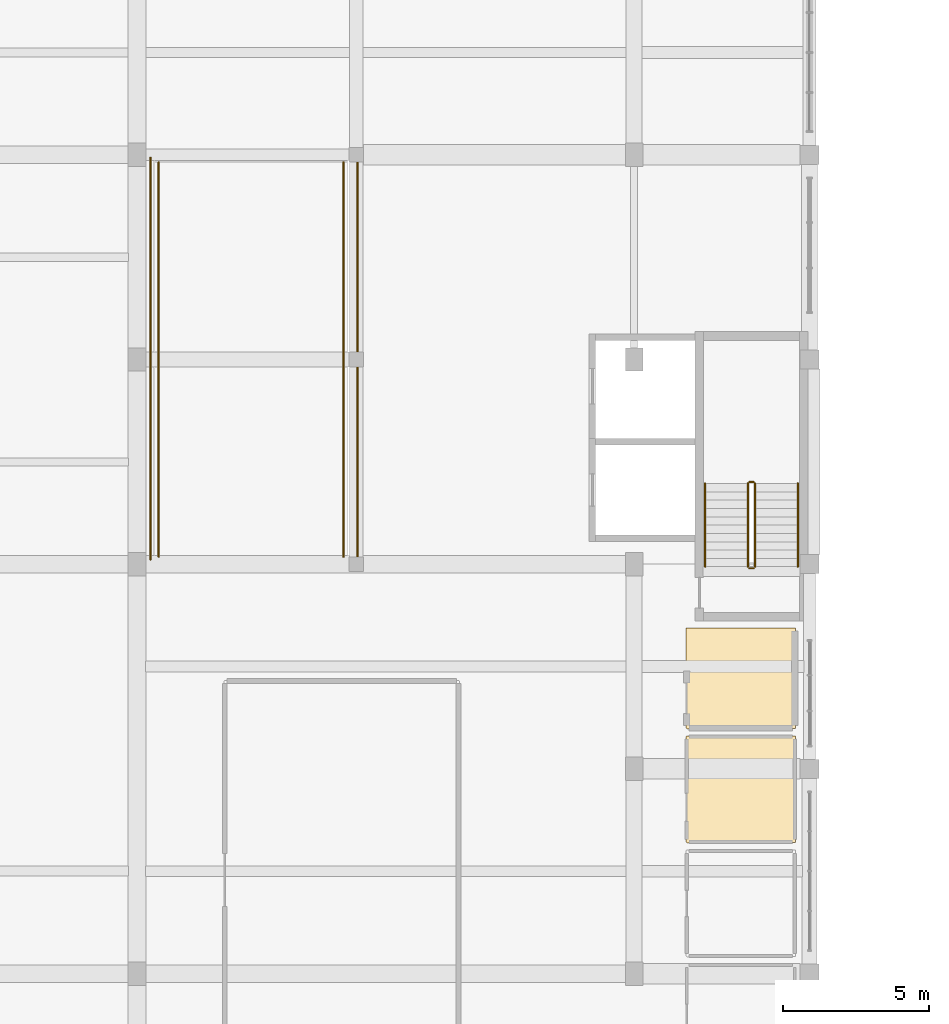
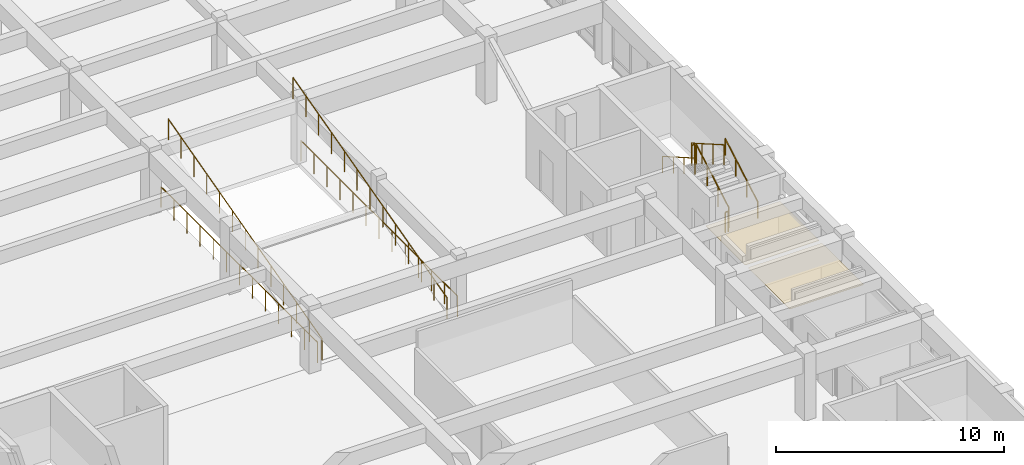
# One storey, part 76 of 77: 10 railings, 2 coverings.
"""IFC4 building model written with IfcOpenShell, lengths in metres."""

from ifc_helpers import new_model, si_unit, direction, frame, origin, origin_2d, place, context, subcontext, project, spatial, polyline, circle, outline, extrude, material, layer, layer_set, type_object, element, save


model = new_model("IFC4")

# Units and contexts
model_context = context("Model", 3, precision=1e-05, world=origin(), true_north=direction((0.0, 1.0)))
body_context = subcontext(model_context, "Body", "Model", "MODEL_VIEW")
ifc_project = project(units=[si_unit("LENGTHUNIT", "METRE"), si_unit("AREAUNIT", "SQUARE_METRE"), si_unit("VOLUMEUNIT", "CUBIC_METRE"), si_unit("PLANEANGLEUNIT", "RADIAN"), si_unit("MASSUNIT", "GRAM", prefix="KILO")], contexts=[model_context])

# Site, building, storey
site_placement = place(None, origin())
site = spatial("IfcSite", under=ifc_project, at=site_placement, CompositionType="ELEMENT")
building_placement = place(site_placement, origin())
building = spatial("IfcBuilding", under=site, at=building_placement, Name="Larkveld Mobility Hub", CompositionType="ELEMENT")
storey_placement = place(building_placement, frame((0.0, 0.0, 12.0)))
storey = spatial("IfcBuildingStorey", under=building, at=storey_placement, Name="L03", CompositionType="ELEMENT", Elevation=12.0)

# Coverings
ifc_material_1 = material(Name="Perforated mineral-fibre acoustic ceiling", Category="masonry")
ifc_layer_1 = layer(ifc_material_1, 0.02001953125, Name="Perforated mineral-fibre acoustic ceiling", Category="masonry")
ifc_layer_set_1 = layer_set([ifc_layer_1], Name="Perforated mineral-fibre acoustic ceiling")
covering_type_1 = type_object("IfcCoveringType", Name="CV-CLG-020", PredefinedType="CEILING", material=ifc_layer_set_1)
covering_1_placement = place(storey_placement, frame((0.0, 0.0, 2.330078125)))
element("IfcCovering", 1, at=covering_1_placement, inside=storey, type_object=covering_type_1, Name="Accessible Unisex Toilet Acoustic Ceiling 036", PredefinedType="CEILING", context=body_context, shape_type="SweptSolid", body=[
    extrude(outline(polyline([(147.820068359375, 46.469970703125), (147.81689453125, 46.469970703125), (147.81396484375, 46.470947265625), (147.81103515625, 46.470947265625), (147.80908203125, 46.471923828125), (147.805908203125, 46.47412109375), (147.802978515625, 46.47509765625), (147.801025390625, 46.47705078125), (147.799072265625, 46.47900390625), (147.779052734375, 46.4990234375), (147.777099609375, 46.5009765625), (147.77490234375, 46.5029296875), (147.77392578125, 46.506103515625), (147.77197265625, 46.509033203125), (147.77099609375, 46.510986328125), (147.77099609375, 46.513916015625), (147.77001953125, 46.51708984375), (147.77001953125, 46.52001953125), (147.77587890625, 50.093994140625), (147.77587890625, 50.096923828125), (147.77587890625, 50.10009765625), (147.777099609375, 50.10302734375), (147.778076171875, 50.10595703125), (147.779052734375, 50.10791015625), (147.781005859375, 50.111083984375), (147.782958984375, 50.113037109375), (147.784912109375, 50.114990234375), (147.787109375, 50.116943359375), (147.7890625, 50.118896484375), (147.7919921875, 50.12109375), (147.7939453125, 50.1220703125), (147.797119140625, 50.123046875), (147.800048828125, 50.1240234375), (147.802978515625, 50.1240234375), (147.805908203125, 50.1240234375), (151.493896484375, 50.1240234375), (151.4970703125, 50.1240234375), (151.5, 50.1240234375), (151.5029296875, 50.123046875), (151.506103515625, 50.1220703125), (151.508056640625, 50.12109375), (151.510986328125, 50.118896484375), (151.512939453125, 50.116943359375), (151.514892578125, 50.114990234375), (151.51708984375, 50.113037109375), (151.51904296875, 50.111083984375), (151.52099609375, 50.10791015625), (151.52197265625, 50.10595703125), (151.52294921875, 50.10302734375), (151.52392578125, 50.10009765625), (151.52392578125, 50.096923828125), (151.52392578125, 50.093994140625), (151.52392578125, 46.506103515625), (151.52392578125, 46.5029296875), (151.52392578125, 46.5), (151.52294921875, 46.4970703125), (151.52197265625, 46.493896484375), (151.52099609375, 46.491943359375), (151.51904296875, 46.489013671875), (151.51708984375, 46.487060546875), (151.514892578125, 46.485107421875), (151.512939453125, 46.48291015625), (151.510986328125, 46.48095703125), (151.508056640625, 46.47900390625), (151.506103515625, 46.47802734375), (151.5029296875, 46.47705078125), (151.5, 46.47607421875), (151.4970703125, 46.47607421875), (151.493896484375, 46.47607421875), (147.820068359375, 46.469970703125)])), origin(), (0.0, 0.0, 1.0), 0.02001953125),
])
ifc_material_2 = material(Name="Moisture-resistant gypsum board ceiling", Category="masonry")
ifc_layer_2 = layer(ifc_material_2, 0.02490234375, Name="Moisture-resistant gypsum board ceiling", Category="masonry")
ifc_layer_set_2 = layer_set([ifc_layer_2], Name="Moisture-resistant gypsum board ceiling")
covering_type_2 = type_object("IfcCoveringType", Name="CV-CLG-025", PredefinedType="CEILING", material=ifc_layer_set_2)
covering_2_placement = place(storey_placement, frame((0.0, 0.0, 2.324951171875)))
element("IfcCovering", 2, at=covering_2_placement, inside=storey, type_object=covering_type_2, Name="Cleaners Store Room Acoustic Ceiling 037", PredefinedType="CEILING", context=body_context, shape_type="SweptSolid", body=[
    extrude(outline(polyline([(147.820068359375, 50.3701171875), (147.81689453125, 50.3701171875), (147.81396484375, 50.37109375), (147.81103515625, 50.37109375), (147.80908203125, 50.3720703125), (147.805908203125, 50.3740234375), (147.802978515625, 50.375), (147.801025390625, 50.376953125), (147.799072265625, 50.37890625), (147.779052734375, 50.39892578125), (147.777099609375, 50.40087890625), (147.77490234375, 50.403076171875), (147.77392578125, 50.406005859375), (147.77197265625, 50.408935546875), (147.77099609375, 50.410888671875), (147.77099609375, 50.4140625), (147.77001953125, 50.4169921875), (147.77001953125, 50.419921875), (147.77587890625, 53.7939453125), (147.77587890625, 53.797119140625), (147.77587890625, 53.800048828125), (147.777099609375, 53.802978515625), (147.778076171875, 53.805908203125), (147.779052734375, 53.80810546875), (147.781005859375, 53.81103515625), (147.782958984375, 53.81298828125), (147.784912109375, 53.81494140625), (147.787109375, 53.81689453125), (147.7890625, 53.819091796875), (147.7919921875, 53.821044921875), (147.7939453125, 53.822021484375), (147.797119140625, 53.822998046875), (147.800048828125, 53.823974609375), (147.802978515625, 53.823974609375), (147.805908203125, 53.823974609375), (151.493896484375, 53.823974609375), (151.4970703125, 53.823974609375), (151.5, 53.823974609375), (151.5029296875, 53.822998046875), (151.506103515625, 53.822021484375), (151.508056640625, 53.821044921875), (151.510986328125, 53.819091796875), (151.512939453125, 53.81689453125), (151.514892578125, 53.81494140625), (151.51708984375, 53.81298828125), (151.51904296875, 53.81103515625), (151.52099609375, 53.80810546875), (151.52197265625, 53.805908203125), (151.52294921875, 53.802978515625), (151.52392578125, 53.800048828125), (151.52392578125, 53.797119140625), (151.52392578125, 53.7939453125), (151.52392578125, 50.406005859375), (151.52392578125, 50.403076171875), (151.52392578125, 50.39990234375), (151.52294921875, 50.39697265625), (151.52197265625, 50.39404296875), (151.52099609375, 50.39208984375), (151.51904296875, 50.388916015625), (151.51708984375, 50.386962890625), (151.514892578125, 50.385009765625), (151.512939453125, 50.383056640625), (151.510986328125, 50.381103515625), (151.508056640625, 50.37890625), (151.506103515625, 50.3779296875), (151.5029296875, 50.376953125), (151.5, 50.3759765625), (151.4970703125, 50.3759765625), (151.493896484375, 50.3759765625), (147.820068359375, 50.3701171875)])), origin(), (0.0, 0.0, 1.0), 0.025146484375),
])

# Railings
ifc_material_3 = material(Name="Galvanized Steel S355JR balustrade", Category="steel")
railing_type_1 = type_object("IfcRailingType", Name="RL-GRD-1100", PredefinedType="GUARDRAIL", material=ifc_material_3)
railing_1_placement = place(storey_placement, frame((150.139892578125, 55.909912109375, 0.16357421875)))
element("IfcRailing", 3, at=railing_1_placement, inside=storey, type_object=railing_type_1, Name="L03 ST2 stair guard 1", PredefinedType="GUARDRAIL", context=body_context, shape_type="SweptSolid", body=[
    extrude(circle(Radius=0.02392578125, at=origin_2d()), frame((0.0, 0.0, 1.076171875), z_axis=(0.0, 0.86721270334, 0.497937874806), x_axis=(-1.0, 0.0, 0.0)), (0.0, 0.0, 1.0), 3.28662109375),
    extrude(circle(Radius=0.02099609375, at=origin_2d()), origin(), (0.0, 0.0, 1.0), 1.052001953125),
    extrude(circle(Radius=0.02099609375, at=origin_2d()), frame((0.0, 0.949951171875, 0.54541015625)), (0.0, 0.0, 1.0), 1.052001953125),
    extrude(circle(Radius=0.02099609375, at=origin_2d()), frame((0.0, 1.900146484375, 1.091064453125)), (0.0, 0.0, 1.0), 1.052001953125),
    extrude(circle(Radius=0.02099609375, at=origin_2d()), frame((0.0, 2.85009765625, 1.636474609375)), (0.0, 0.0, 1.0), 1.052001953125),
])
railing_2_placement = place(storey_placement, frame((150.090087890625, 58.81005859375, 1.800048828125)))
element("IfcRailing", 4, at=railing_2_placement, inside=storey, type_object=railing_type_1, Name="L03 ST2 stair guard 2", PredefinedType="GUARDRAIL", context=body_context, shape_type="SweptSolid", body=[
    extrude(circle(Radius=0.02392578125, at=origin_2d()), frame((0.0, 0.0, 1.076171875), z_axis=(-1.0, 0.0, 0.0), x_axis=(0.0, -1.0, 0.0)), (0.0, 0.0, 1.0), 0.150146484375),
    extrude(circle(Radius=0.02099609375, at=origin_2d()), origin(), (0.0, 0.0, 1.0), 1.052001953125),
    extrude(circle(Radius=0.02099609375, at=origin_2d()), frame((-0.150146484375, 0.0, 0.0)), (0.0, 0.0, 1.0), 1.052001953125),
])
railing_3_placement = place(storey_placement, frame((149.889892578125, 58.760009765625, 1.963623046875)))
element("IfcRailing", 5, at=railing_3_placement, inside=storey, type_object=railing_type_1, Name="L03 ST2 stair guard 3", PredefinedType="GUARDRAIL", context=body_context, shape_type="SweptSolid", body=[
    extrude(circle(Radius=0.02392578125, at=origin_2d()), frame((0.0, 0.0, 1.076171875), z_axis=(0.0, -0.86721270334, 0.497937874806), x_axis=(1.0, 0.0, 0.0)), (0.0, 0.0, 1.0), 3.28662109375),
    extrude(circle(Radius=0.02099609375, at=origin_2d()), origin(), (0.0, 0.0, 1.0), 1.052001953125),
    extrude(circle(Radius=0.02099609375, at=origin_2d()), frame((0.0, -0.949951171875, 0.54541015625)), (0.0, 0.0, 1.0), 1.052001953125),
    extrude(circle(Radius=0.02099609375, at=origin_2d()), frame((0.0, -1.900146484375, 1.091064453125)), (0.0, 0.0, 1.0), 1.052001953125),
    extrude(circle(Radius=0.02099609375, at=origin_2d()), frame((0.0, -2.85009765625, 1.636474609375)), (0.0, 0.0, 1.0), 1.052001953125),
])
railing_4_placement = place(storey_placement, frame((150.090087890625, 55.860107421875, 0.0)))
element("IfcRailing", 6, at=railing_4_placement, inside=storey, type_object=railing_type_1, Name="L03 ST2 stair guard 4", PredefinedType="GUARDRAIL", context=body_context, shape_type="SweptSolid", body=[
    extrude(circle(Radius=0.02392578125, at=origin_2d()), frame((0.0, 0.0, 1.076171875), z_axis=(-1.0, 0.0, 0.0), x_axis=(0.0, -1.0, 0.0)), (0.0, 0.0, 1.0), 0.150146484375),
    extrude(circle(Radius=0.02099609375, at=origin_2d()), origin(), (0.0, 0.0, 1.0), 1.052001953125),
    extrude(circle(Radius=0.02099609375, at=origin_2d()), frame((-0.150146484375, 0.0, 0.0)), (0.0, 0.0, 1.0), 1.052001953125),
])
ifc_material_4 = material(Name="Galvanized Steel S355JR void balustrade", Category="steel")
railing_type_2 = type_object("IfcRailingType", Name="RL-GRD-1120", PredefinedType="GUARDRAIL", material=ifc_material_4)
railing_5_placement = place(storey_placement, frame((129.4599609375, 56.159912109375, 0.0)))
element("IfcRailing", 7, at=railing_5_placement, inside=storey, type_object=railing_type_2, Name="EV Ramp Void West Guard L03 L03-062", PredefinedType="GUARDRAIL", context=body_context, shape_type="SweptSolid", body=[
    extrude(circle(Radius=0.02392578125, at=origin_2d()), frame((0.0, 0.0, 1.09619140625), z_axis=(0.0, 1.0, 0.0), x_axis=(-1.0, 0.0, 0.0)), (0.0, 0.0, 1.0), 13.739990234375),
    extrude(circle(Radius=0.02099609375, at=origin_2d()), origin(), (0.0, 0.0, 1.0), 1.072021484375),
    extrude(circle(Radius=0.02099609375, at=origin_2d()), frame((0.0, 1.14501953125, 0.0)), (0.0, 0.0, 1.0), 1.072021484375),
    extrude(circle(Radius=0.02099609375, at=origin_2d()), frame((0.0, 2.2900390625, 0.0)), (0.0, 0.0, 1.0), 1.072021484375),
    extrude(circle(Radius=0.02099609375, at=origin_2d()), frame((0.0, 3.43505859375, 0.0)), (0.0, 0.0, 1.0), 1.072021484375),
    extrude(circle(Radius=0.02099609375, at=origin_2d()), frame((0.0, 4.580078125, 0.0)), (0.0, 0.0, 1.0), 1.072021484375),
    extrude(circle(Radius=0.02099609375, at=origin_2d()), frame((0.0, 5.72509765625, 0.0)), (0.0, 0.0, 1.0), 1.072021484375),
    extrude(circle(Radius=0.02099609375, at=origin_2d()), frame((0.0, 6.8701171875, 0.0)), (0.0, 0.0, 1.0), 1.072021484375),
    extrude(circle(Radius=0.02099609375, at=origin_2d()), frame((0.0, 8.014892578125, 0.0)), (0.0, 0.0, 1.0), 1.072021484375),
    extrude(circle(Radius=0.02099609375, at=origin_2d()), frame((0.0, 9.159912109375, 0.0)), (0.0, 0.0, 1.0), 1.072021484375),
    extrude(circle(Radius=0.02099609375, at=origin_2d()), frame((0.0, 10.304931640625, 0.0)), (0.0, 0.0, 1.0), 1.072021484375),
    extrude(circle(Radius=0.02099609375, at=origin_2d()), frame((0.0, 11.449951171875, 0.0)), (0.0, 0.0, 1.0), 1.072021484375),
    extrude(circle(Radius=0.02099609375, at=origin_2d()), frame((0.0, 12.594970703125, 0.0)), (0.0, 0.0, 1.0), 1.072021484375),
    extrude(circle(Radius=0.02099609375, at=origin_2d()), frame((0.0, 13.739990234375, 0.0)), (0.0, 0.0, 1.0), 1.072021484375),
])
railing_6_placement = place(storey_placement, frame((136.5400390625, 56.159912109375, 0.0)))
element("IfcRailing", 8, at=railing_6_placement, inside=storey, type_object=railing_type_2, Name="EV Ramp Void East Guard L03 L03-063", PredefinedType="GUARDRAIL", context=body_context, shape_type="SweptSolid", body=[
    extrude(circle(Radius=0.02392578125, at=origin_2d()), frame((0.0, 0.0, 1.09619140625), z_axis=(0.0, 1.0, 0.0), x_axis=(-1.0, 0.0, 0.0)), (0.0, 0.0, 1.0), 13.739990234375),
    extrude(circle(Radius=0.02099609375, at=origin_2d()), origin(), (0.0, 0.0, 1.0), 1.072021484375),
    extrude(circle(Radius=0.02099609375, at=origin_2d()), frame((0.0, 1.14501953125, 0.0)), (0.0, 0.0, 1.0), 1.072021484375),
    extrude(circle(Radius=0.02099609375, at=origin_2d()), frame((0.0, 2.2900390625, 0.0)), (0.0, 0.0, 1.0), 1.072021484375),
    extrude(circle(Radius=0.02099609375, at=origin_2d()), frame((0.0, 3.43505859375, 0.0)), (0.0, 0.0, 1.0), 1.072021484375),
    extrude(circle(Radius=0.02099609375, at=origin_2d()), frame((0.0, 4.580078125, 0.0)), (0.0, 0.0, 1.0), 1.072021484375),
    extrude(circle(Radius=0.02099609375, at=origin_2d()), frame((0.0, 5.72509765625, 0.0)), (0.0, 0.0, 1.0), 1.072021484375),
    extrude(circle(Radius=0.02099609375, at=origin_2d()), frame((0.0, 6.8701171875, 0.0)), (0.0, 0.0, 1.0), 1.072021484375),
    extrude(circle(Radius=0.02099609375, at=origin_2d()), frame((0.0, 8.014892578125, 0.0)), (0.0, 0.0, 1.0), 1.072021484375),
    extrude(circle(Radius=0.02099609375, at=origin_2d()), frame((0.0, 9.159912109375, 0.0)), (0.0, 0.0, 1.0), 1.072021484375),
    extrude(circle(Radius=0.02099609375, at=origin_2d()), frame((0.0, 10.304931640625, 0.0)), (0.0, 0.0, 1.0), 1.072021484375),
    extrude(circle(Radius=0.02099609375, at=origin_2d()), frame((0.0, 11.449951171875, 0.0)), (0.0, 0.0, 1.0), 1.072021484375),
    extrude(circle(Radius=0.02099609375, at=origin_2d()), frame((0.0, 12.594970703125, 0.0)), (0.0, 0.0, 1.0), 1.072021484375),
    extrude(circle(Radius=0.02099609375, at=origin_2d()), frame((0.0, 13.739990234375, 0.0)), (0.0, 0.0, 1.0), 1.072021484375),
])
ifc_material_5 = material(Name="Galvanized Steel S355JR vehicle-deck guard", Category="steel")
railing_type_3 = type_object("IfcRailingType", Name="RL-GRD-RMP", PredefinedType="GUARDRAIL", material=ifc_material_5)
railing_7_placement = place(storey_placement, frame((129.739990234375, 56.25, 0.0)))
element("IfcRailing", 9, at=railing_7_placement, inside=storey, type_object=railing_type_3, Name="EV Ramp West Sloped Guard L03-033", PredefinedType="GUARDRAIL", context=body_context, shape_type="SweptSolid", body=[
    extrude(circle(Radius=0.02392578125, at=origin_2d()), frame((0.0, 0.0, 1.1259765625), z_axis=(0.0, 0.966233199446, 0.257669176053), x_axis=(-1.0, 0.0, 0.0)), (0.0, 0.0, 1.0), 13.9716796875),
    extrude(circle(Radius=0.02099609375, at=origin_2d()), origin(), (0.0, 0.0, 1.0), 1.101806640625),
    extrude(circle(Radius=0.02099609375, at=origin_2d()), frame((0.0, 1.125, 0.300048828125)), (0.0, 0.0, 1.0), 1.101806640625),
    extrude(circle(Radius=0.02099609375, at=origin_2d()), frame((0.0, 2.25, 0.60009765625)), (0.0, 0.0, 1.0), 1.101806640625),
    extrude(circle(Radius=0.02099609375, at=origin_2d()), frame((0.0, 3.375, 0.89990234375)), (0.0, 0.0, 1.0), 1.101806640625),
    extrude(circle(Radius=0.02099609375, at=origin_2d()), frame((0.0, 4.5, 1.199951171875)), (0.0, 0.0, 1.0), 1.101806640625),
    extrude(circle(Radius=0.02099609375, at=origin_2d()), frame((0.0, 5.625, 1.5)), (0.0, 0.0, 1.0), 1.101806640625),
    extrude(circle(Radius=0.02099609375, at=origin_2d()), frame((0.0, 6.75, 1.800048828125)), (0.0, 0.0, 1.0), 1.101806640625),
    extrude(circle(Radius=0.02099609375, at=origin_2d()), frame((0.0, 7.875, 2.10009765625)), (0.0, 0.0, 1.0), 1.101806640625),
    extrude(circle(Radius=0.02099609375, at=origin_2d()), frame((0.0, 9.0, 2.400146484375)), (0.0, 0.0, 1.0), 1.101806640625),
    extrude(circle(Radius=0.02099609375, at=origin_2d()), frame((0.0, 10.125, 2.7001953125)), (0.0, 0.0, 1.0), 1.101806640625),
    extrude(circle(Radius=0.02099609375, at=origin_2d()), frame((0.0, 11.25, 3.0)), (0.0, 0.0, 1.0), 1.101806640625),
    extrude(circle(Radius=0.02099609375, at=origin_2d()), frame((0.0, 12.375, 3.300048828125)), (0.0, 0.0, 1.0), 1.101806640625),
    extrude(circle(Radius=0.02099609375, at=origin_2d()), frame((0.0, 13.5, 3.60009765625)), (0.0, 0.0, 1.0), 1.101806640625),
])
railing_8_placement = place(storey_placement, frame((136.06005859375, 56.25, 0.0)))
element("IfcRailing", 10, at=railing_8_placement, inside=storey, type_object=railing_type_3, Name="EV Ramp East Sloped Guard L03-034", PredefinedType="GUARDRAIL", context=body_context, shape_type="SweptSolid", body=[
    extrude(circle(Radius=0.02392578125, at=origin_2d()), frame((0.0, 0.0, 1.1259765625), z_axis=(0.0, 0.966233199446, 0.257669176053), x_axis=(-1.0, 0.0, 0.0)), (0.0, 0.0, 1.0), 13.9716796875),
    extrude(circle(Radius=0.02099609375, at=origin_2d()), origin(), (0.0, 0.0, 1.0), 1.101806640625),
    extrude(circle(Radius=0.02099609375, at=origin_2d()), frame((0.0, 1.125, 0.300048828125)), (0.0, 0.0, 1.0), 1.101806640625),
    extrude(circle(Radius=0.02099609375, at=origin_2d()), frame((0.0, 2.25, 0.60009765625)), (0.0, 0.0, 1.0), 1.101806640625),
    extrude(circle(Radius=0.02099609375, at=origin_2d()), frame((0.0, 3.375, 0.89990234375)), (0.0, 0.0, 1.0), 1.101806640625),
    extrude(circle(Radius=0.02099609375, at=origin_2d()), frame((0.0, 4.5, 1.199951171875)), (0.0, 0.0, 1.0), 1.101806640625),
    extrude(circle(Radius=0.02099609375, at=origin_2d()), frame((0.0, 5.625, 1.5)), (0.0, 0.0, 1.0), 1.101806640625),
    extrude(circle(Radius=0.02099609375, at=origin_2d()), frame((0.0, 6.75, 1.800048828125)), (0.0, 0.0, 1.0), 1.101806640625),
    extrude(circle(Radius=0.02099609375, at=origin_2d()), frame((0.0, 7.875, 2.10009765625)), (0.0, 0.0, 1.0), 1.101806640625),
    extrude(circle(Radius=0.02099609375, at=origin_2d()), frame((0.0, 9.0, 2.400146484375)), (0.0, 0.0, 1.0), 1.101806640625),
    extrude(circle(Radius=0.02099609375, at=origin_2d()), frame((0.0, 10.125, 2.7001953125)), (0.0, 0.0, 1.0), 1.101806640625),
    extrude(circle(Radius=0.02099609375, at=origin_2d()), frame((0.0, 11.25, 3.0)), (0.0, 0.0, 1.0), 1.101806640625),
    extrude(circle(Radius=0.02099609375, at=origin_2d()), frame((0.0, 12.375, 3.300048828125)), (0.0, 0.0, 1.0), 1.101806640625),
    extrude(circle(Radius=0.02099609375, at=origin_2d()), frame((0.0, 13.5, 3.60009765625)), (0.0, 0.0, 1.0), 1.101806640625),
])
ifc_material_6 = material(Name="Brushed Steel S355JR tubular handrail", Category="steel")
railing_type_4 = type_object("IfcRailingType", Name="RL-HND-0900", PredefinedType="HANDRAIL", material=ifc_material_6)
railing_9_placement = place(storey_placement, frame((151.60009765625, 55.909912109375, 0.16357421875)))
element("IfcRailing", 11, at=railing_9_placement, inside=storey, type_object=railing_type_4, Name="L03 ST2 stair handrail 1", PredefinedType="HANDRAIL", context=body_context, shape_type="SweptSolid", body=[
    extrude(circle(Radius=0.02392578125, at=origin_2d()), frame((0.0, 0.0, 0.8759765625), z_axis=(0.0, 0.86721270334, 0.497937874806), x_axis=(-1.0, 0.0, 0.0)), (0.0, 0.0, 1.0), 3.28662109375),
    extrude(circle(Radius=0.02099609375, at=origin_2d()), origin(), (0.0, 0.0, 1.0), 0.851806640625),
    extrude(circle(Radius=0.02099609375, at=origin_2d()), frame((0.0, 0.949951171875, 0.54541015625)), (0.0, 0.0, 1.0), 0.851806640625),
    extrude(circle(Radius=0.02099609375, at=origin_2d()), frame((0.0, 1.900146484375, 1.091064453125)), (0.0, 0.0, 1.0), 0.851806640625),
    extrude(circle(Radius=0.02099609375, at=origin_2d()), frame((0.0, 2.85009765625, 1.636474609375)), (0.0, 0.0, 1.0), 0.851806640625),
])
railing_10_placement = place(storey_placement, frame((148.429931640625, 58.760009765625, 1.963623046875)))
element("IfcRailing", 12, at=railing_10_placement, inside=storey, type_object=railing_type_4, Name="L03 ST2 stair handrail 2", PredefinedType="HANDRAIL", context=body_context, shape_type="SweptSolid", body=[
    extrude(circle(Radius=0.02392578125, at=origin_2d()), frame((0.0, 0.0, 0.8759765625), z_axis=(0.0, -0.86721270334, 0.497937874806), x_axis=(1.0, 0.0, 0.0)), (0.0, 0.0, 1.0), 3.28662109375),
    extrude(circle(Radius=0.02099609375, at=origin_2d()), origin(), (0.0, 0.0, 1.0), 0.851806640625),
    extrude(circle(Radius=0.02099609375, at=origin_2d()), frame((0.0, -0.949951171875, 0.54541015625)), (0.0, 0.0, 1.0), 0.851806640625),
    extrude(circle(Radius=0.02099609375, at=origin_2d()), frame((0.0, -1.900146484375, 1.091064453125)), (0.0, 0.0, 1.0), 0.851806640625),
    extrude(circle(Radius=0.02099609375, at=origin_2d()), frame((0.0, -2.85009765625, 1.636474609375)), (0.0, 0.0, 1.0), 0.851806640625),
])

save(model, "model.ifc")
